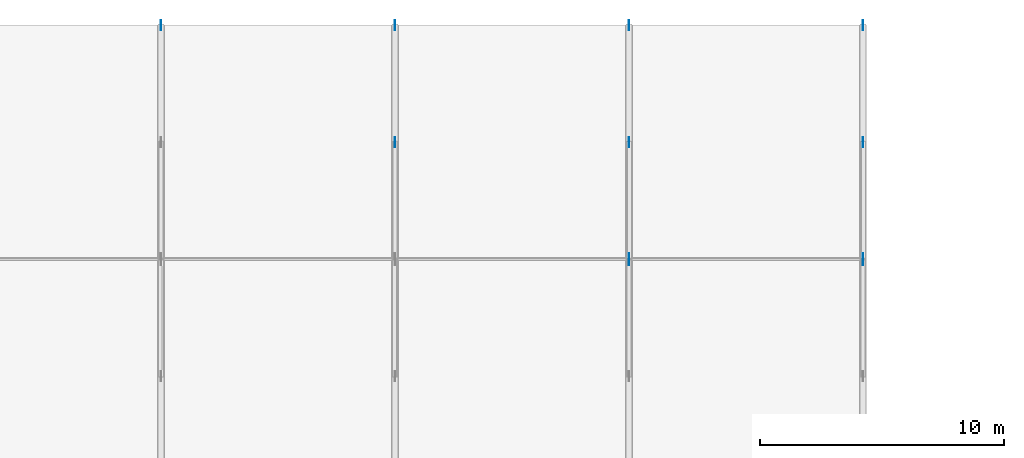
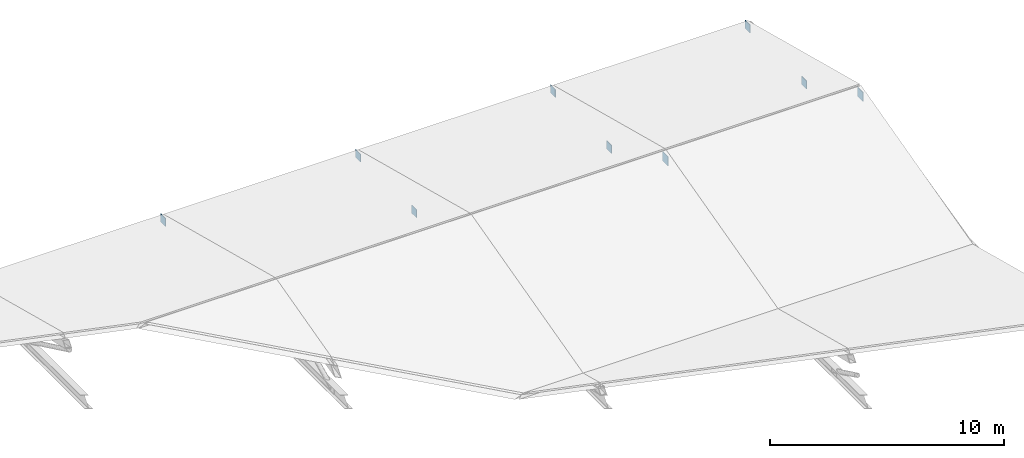
# One storey, part 30 of 52: 9 plates.
"""IFC4 building model written with IfcOpenShell, lengths in metres."""

from ifc_helpers import new_model, si_unit, direction, frame, origin, origin_2d, place, context, subcontext, project, spatial, rectangle, extrude, material, layer, layer_set, type_object, element, save


model = new_model("IFC4")

# Units and contexts
model_context = context("Model", 3, precision=1e-05, world=origin(), true_north=direction((0.0, 1.0)))
body_context = subcontext(model_context, "Body", "Model", "MODEL_VIEW")
ifc_project = project(units=[si_unit("LENGTHUNIT", "METRE"), si_unit("AREAUNIT", "SQUARE_METRE"), si_unit("VOLUMEUNIT", "CUBIC_METRE"), si_unit("PLANEANGLEUNIT", "RADIAN"), si_unit("MASSUNIT", "GRAM", prefix="KILO")], contexts=[model_context])

# Site, building, storey
site_placement = place(None, origin())
site = spatial("IfcSite", under=ifc_project, at=site_placement, CompositionType="ELEMENT")
building_placement = place(site_placement, origin())
building = spatial("IfcBuilding", under=site, at=building_placement, Name="Zarnetskaya Central Station", CompositionType="ELEMENT")
storey_placement = place(building_placement, frame((0.0, 0.0, 14.39990234375)))
storey = spatial("IfcBuildingStorey", under=building, at=storey_placement, Name="L03", CompositionType="ELEMENT", Elevation=14.39990234375)

# Plates
ifc_material = material(Name="Steel S355", Category="steel")
ifc_layer_1 = layer(ifc_material, 0.02392578125, Name="Steel S355", Category="steel")
ifc_layer_set_1 = layer_set([ifc_layer_1], Name="Steel S355")
plate_type_1 = type_object("IfcPlateType", Name="ND-GUSSET-24", PredefinedType="USERDEFINED", material=ifc_layer_set_1)
for number, where, z_axis, x_axis, name in (
    (1, (115.199951171875, 115.199951171875, 1.81005859375), (0.0, 0.0, 1.0), (1.0, 0.0, 0.0), "ROOF TRUSS SHED-SV3-07 apex gusset"),
    (2, (124.800048828125, 115.199951171875, 1.81005859375), (0.0, 0.0, 1.0), (1.0, 0.0, 0.0), "ROOF TRUSS SHED-SV3-08 apex gusset"),
):
    element("IfcPlate", number, at=place(storey_placement, frame(where, z_axis=z_axis, x_axis=x_axis)), inside=storey, type_object=plate_type_1, Name=name, ObjectType="GUSSET PLATE", PredefinedType="USERDEFINED", context=body_context, shape_type="SweptSolid", body=[
        extrude(rectangle(XDim=0.02392578125, YDim=0.47998046875, at=origin_2d()), origin(), (0.0, 0.0, 1.0), 0.47998046875),
    ])
ifc_layer_2 = layer(ifc_material, 0.028076171875, Name="Steel S355", Category="steel")
ifc_layer_set_2 = layer_set([ifc_layer_2], Name="Steel S355")
plate_type_2 = type_object("IfcPlateType", Name="ND-GUSSET-EXT-28", PredefinedType="USERDEFINED", material=ifc_layer_set_2)
for number, where, z_axis, x_axis, name in (
    (3, (96.0, 124.800048828125, -0.4599609375), (0.0, 0.0, 1.0), (1.0, 0.0, 0.0), "Structural member end gusset plate 085"),
    (4, (105.60009765625, 124.800048828125, -0.4599609375), (0.0, 0.0, 1.0), (1.0, 0.0, 0.0), "Structural member end gusset plate 088"),
    (5, (105.60009765625, 120.0, -0.4599609375), (0.0, 0.0, 1.0), (1.0, 0.0, 0.0), "Structural member end gusset plate 090"),
    (6, (115.199951171875, 124.800048828125, -0.4599609375), (0.0, 0.0, 1.0), (1.0, 0.0, 0.0), "Structural member end gusset plate 091"),
    (7, (115.199951171875, 120.0, -0.4599609375), (0.0, 0.0, 1.0), (1.0, 0.0, 0.0), "Structural member end gusset plate 093"),
    (8, (124.800048828125, 124.800048828125, -0.4599609375), (0.0, 0.0, 1.0), (1.0, 0.0, 0.0), "Structural member end gusset plate 094"),
    (9, (124.800048828125, 120.0, -0.4599609375), (0.0, 0.0, 1.0), (1.0, 0.0, 0.0), "Structural member end gusset plate 096"),
):
    element("IfcPlate", number, at=place(storey_placement, frame(where, z_axis=z_axis, x_axis=x_axis)), inside=storey, type_object=plate_type_2, Name=name, ObjectType="GUSSET PLATE", PredefinedType="USERDEFINED", context=body_context, shape_type="SweptSolid", body=[
        extrude(rectangle(XDim=0.028076171875, YDim=0.419921875, at=origin_2d()), origin(), (0.0, 0.0, 1.0), 0.419921875),
    ])

save(model, "model.ifc")
